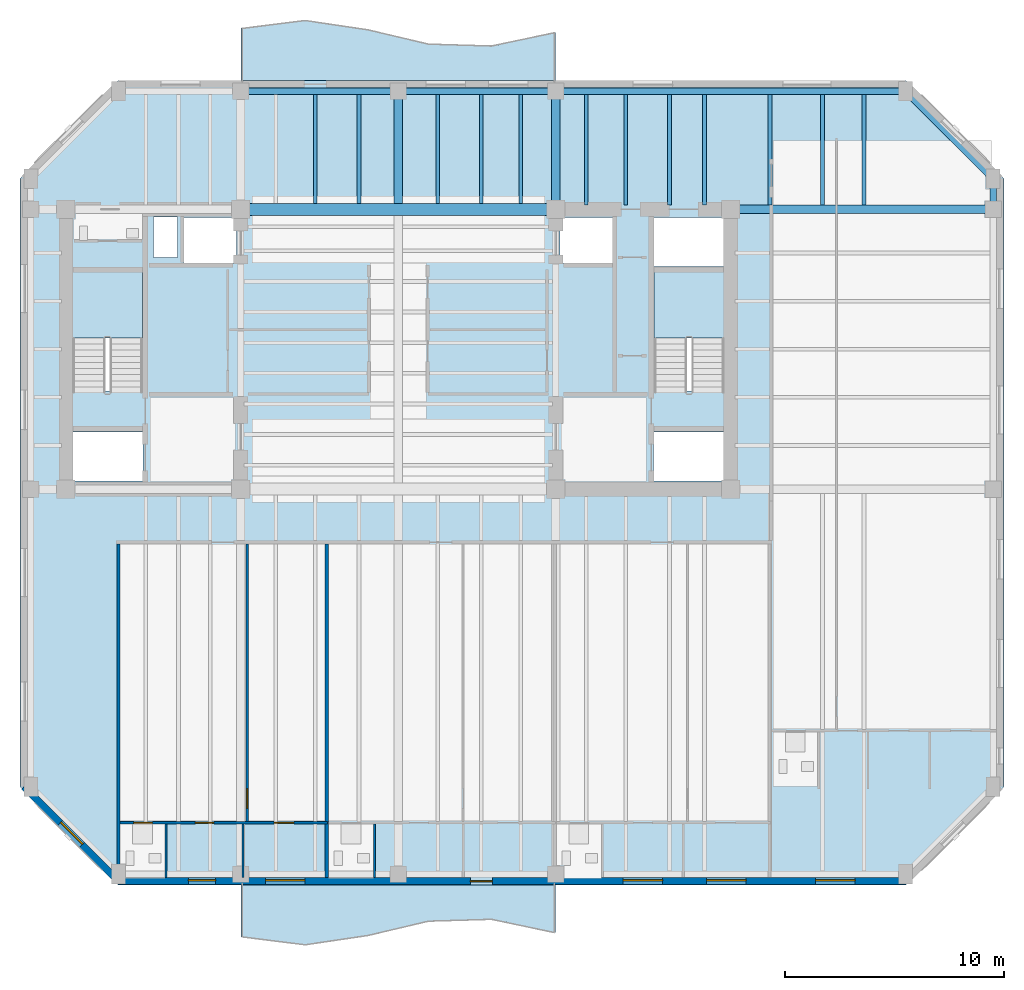
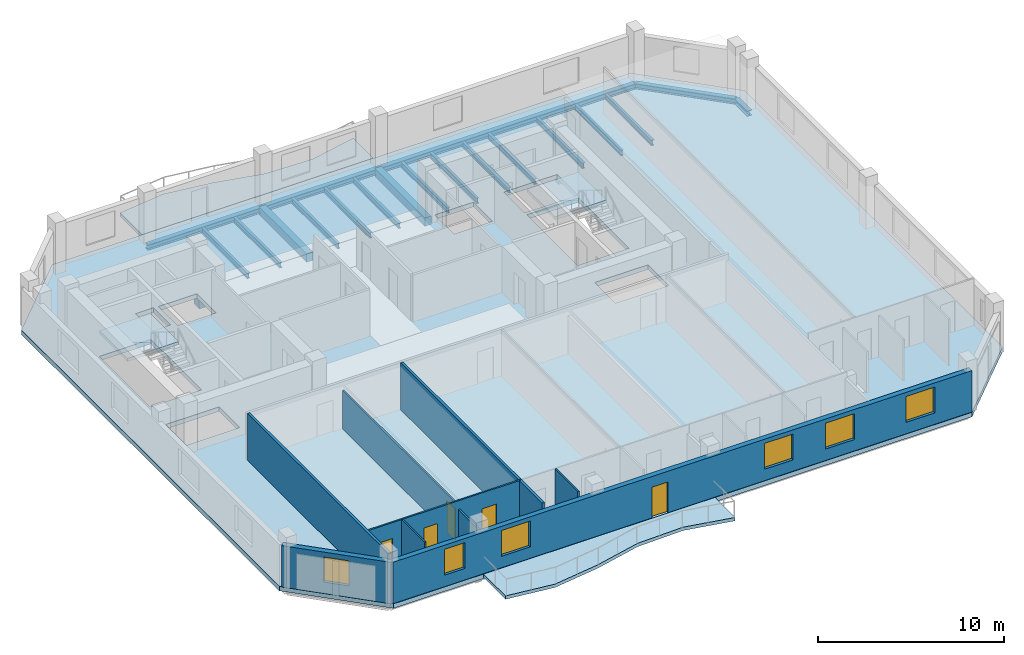
# One storey, part 2 of 10: 21 beams, 9 walls, 6 windows, 5 doors, 5 slabs, 11 openings, 2 elements without a shape of their own.
"""IFC4 building model written with IfcOpenShell, lengths in metres."""

from ifc_helpers import new_model, si_unit, direction, frame, frame_2d, origin, origin_2d, place, context, subcontext, project, spatial, polyline, rectangle, i_section, outline, extrude, material, layer, layer_set, material_profile, profile_set, type_object, element, fill, aggregate, save


model = new_model("IFC4")

# Units and contexts
model_context = context("Model", 3, precision=1e-05, world=origin(), true_north=direction((0.0, 1.0)))
body_context = subcontext(model_context, "Body", "Model", "MODEL_VIEW")
ifc_project = project(units=[si_unit("LENGTHUNIT", "METRE"), si_unit("AREAUNIT", "SQUARE_METRE"), si_unit("VOLUMEUNIT", "CUBIC_METRE"), si_unit("PLANEANGLEUNIT", "RADIAN"), si_unit("MASSUNIT", "GRAM", prefix="KILO")], contexts=[model_context])

# Site, building, storey
site_placement = place(None, origin())
site = spatial("IfcSite", under=ifc_project, at=site_placement, CompositionType="ELEMENT")
building_placement = place(site_placement, origin())
building = spatial("IfcBuilding", under=site, at=building_placement, Name="Kranthara Brick Stack", CompositionType="ELEMENT")
storey_placement = place(building_placement, frame((0.0, 0.0, 234.699951171875)))
storey = spatial("IfcBuildingStorey", under=building, at=storey_placement, Name="L61", CompositionType="ELEMENT", Elevation=234.699951171875)

# Beams
ifc_material_1 = material(Name="Concrete C50/60", Category="concrete")
ifc_material_profile_1 = material_profile(ifc_material_1, rectangle(XDim=0.550048828125, YDim=0.85009765625, at=origin_2d()), Name="RC 550x850")
ifc_profile_set_1 = profile_set([ifc_material_profile_1], Name="Concrete C50/60")
beam_type_1 = type_object("IfcBeamType", Name="BM-CPL-RC850", PredefinedType="LINTEL", material=ifc_profile_set_1)
beam_1_placement = place(storey_placement, frame((20.800048828125, 33.60009765625, -0.724853515625), z_axis=(1.0, 0.0, 0.0), x_axis=(0.0, 1.0, 0.0)))
element("IfcBeam", 1, at=beam_1_placement, inside=storey, type_object=beam_type_1, Name="L61 Core Coupling Beam 002", PredefinedType="LINTEL", context=body_context, shape_type="SweptSolid", body=[
    extrude(rectangle(XDim=0.550048828125, YDim=0.85009765625, at=origin_2d()), origin(), (0.0, 0.0, 1.0), 14.39990234375),
])
ifc_material_2 = material(Name="Post-tensioned concrete C45/55", Category="concrete")
ifc_material_profile_2 = material_profile(ifc_material_2, rectangle(XDim=0.39990234375, YDim=0.550048828125, at=origin_2d()), Name="PT 400x550")
ifc_profile_set_2 = profile_set([ifc_material_profile_2], Name="Post-tensioned concrete C45/55")
beam_type_2 = type_object("IfcBeamType", Name="BM-FLR-PT550", PredefinedType="BEAM", material=ifc_profile_set_2)
beam_2_placement = place(storey_placement, frame((28.0, 33.875, -0.574951171875), z_axis=(0.0, 1.0, 0.0), x_axis=(-1.0, 0.0, 0.0)))
element("IfcBeam", 2, at=beam_2_placement, inside=storey, type_object=beam_type_2, Name="L61 Primary Grid Girder 027", PredefinedType="BEAM", context=body_context, shape_type="SweptSolid", body=[
    extrude(rectangle(XDim=0.39990234375, YDim=0.550048828125, at=origin_2d()), origin(), (0.0, 0.0, 1.0), 5.125),
])
beam_3_placement = place(storey_placement, frame((35.199951171875, 33.60009765625, -0.574951171875), z_axis=(0.0, 1.0, 0.0), x_axis=(-1.0, 0.0, 0.0)))
element("IfcBeam", 3, at=beam_3_placement, inside=storey, type_object=beam_type_2, Name="L61 Primary Grid Girder 029", PredefinedType="BEAM", context=body_context, shape_type="SweptSolid", body=[
    extrude(rectangle(XDim=0.39990234375, YDim=0.550048828125, at=origin_2d()), origin(), (0.0, 0.0, 1.0), 5.39990234375),
])
beam_4_placement = place(storey_placement, frame((43.199951171875, 33.60009765625, -0.574951171875), z_axis=(1.0, 0.0, 0.0), x_axis=(0.0, 1.0, 0.0)))
element("IfcBeam", 4, at=beam_4_placement, inside=storey, type_object=beam_type_2, Name="L61 Primary Grid Girder 033", PredefinedType="BEAM", context=body_context, shape_type="SweptSolid", body=[
    extrude(rectangle(XDim=0.39990234375, YDim=0.550048828125, at=origin_2d()), origin(), (0.0, 0.0, 1.0), 12.0),
])
ifc_material_3 = material(Name="Steel S355", Category="steel")
ifc_material_profile_3 = material_profile(ifc_material_3, i_section(OverallWidth=0.169921875, OverallDepth=0.360107421875, WebThickness=0.008056640625, FlangeThickness=0.0126953125, at=origin_2d()), Name="IPE 360")
ifc_profile_set_3 = profile_set([ifc_material_profile_3], Name="Steel S355")
beam_type_3 = type_object("IfcBeamType", Name="BM-JST-IPE360", PredefinedType="JOIST", material=ifc_profile_set_3)
for number, where, z_axis, x_axis, name in (
    (5, (24.199951171875, 33.875, -0.47998046875), (0.0, 1.0, 0.0), (-1.0, 0.0, 0.0), "L61 North Wing Floor Joist 061"),
    (6, (26.199951171875, 33.875, -0.47998046875), (0.0, 1.0, 0.0), (-1.0, 0.0, 0.0), "L61 North Wing Floor Joist 063"),
    (7, (29.800048828125, 33.875, -0.47998046875), (0.0, 1.0, 0.0), (-1.0, 0.0, 0.0), "L61 North Wing Floor Joist 065"),
    (8, (31.800048828125, 33.875, -0.47998046875), (0.0, 1.0, 0.0), (-1.0, 0.0, 0.0), "L61 North Wing Floor Joist 067"),
    (9, (33.60009765625, 33.875, -0.47998046875), (0.0, 1.0, 0.0), (-1.0, 0.0, 0.0), "L61 North Wing Floor Joist 069"),
):
    element("IfcBeam", number, at=place(storey_placement, frame(where, z_axis=z_axis, x_axis=x_axis)), inside=storey, type_object=beam_type_3, Name=name, PredefinedType="JOIST", context=body_context, shape_type="SweptSolid", body=[
        extrude(i_section(OverallWidth=0.169921875, OverallDepth=0.360107421875, WebThickness=0.008056640625, FlangeThickness=0.0126953125, at=origin_2d()), origin(), (0.0, 0.0, 1.0), 4.97509765625),
    ])
for number, where, z_axis, x_axis, name in (
    (10, (36.60009765625, 33.800048828125, -0.47998046875), (0.0, 1.0, 0.0), (-1.0, 0.0, 0.0), "L61 North Wing Floor Joist 071"),
    (11, (38.39990234375, 33.800048828125, -0.47998046875), (0.0, 1.0, 0.0), (-1.0, 0.0, 0.0), "L61 North Wing Floor Joist 073"),
    (12, (40.39990234375, 33.800048828125, -0.47998046875), (0.0, 1.0, 0.0), (-1.0, 0.0, 0.0), "L61 North Wing Floor Joist 075"),
    (13, (42.0, 33.800048828125, -0.47998046875), (0.0, 1.0, 0.0), (-1.0, 0.0, 0.0), "L61 North Wing Floor Joist 077"),
    (14, (45.0, 33.800048828125, -0.47998046875), (0.0, 1.0, 0.0), (-1.0, 0.0, 0.0), "L61 North Wing Floor Joist 079"),
    (15, (47.39990234375, 33.800048828125, -0.47998046875), (0.0, 1.0, 0.0), (-1.0, 0.0, 0.0), "L61 North Wing Floor Joist 081"),
    (16, (49.300048828125, 33.800048828125, -0.47998046875), (0.0, 1.0, 0.0), (-1.0, 0.0, 0.0), "L61 North Wing Floor Joist 083"),
):
    element("IfcBeam", number, at=place(storey_placement, frame(where, z_axis=z_axis, x_axis=x_axis)), inside=storey, type_object=beam_type_3, Name=name, PredefinedType="JOIST", context=body_context, shape_type="SweptSolid", body=[
        extrude(i_section(OverallWidth=0.169921875, OverallDepth=0.360107421875, WebThickness=0.008056640625, FlangeThickness=0.0126953125, at=origin_2d()), origin(), (0.0, 0.0, 1.0), 5.050048828125),
    ])
ifc_material_4 = material(Name="Steel S355", Category="steel")
ifc_material_profile_4 = material_profile(ifc_material_4, i_section(OverallWidth=0.300048828125, OverallDepth=0.360107421875, WebThickness=0.012451171875, FlangeThickness=0.0224609375, at=origin_2d()), Name="HEB 360")
ifc_profile_set_4 = profile_set([ifc_material_profile_4], Name="Steel S355")
beam_type_4 = type_object("IfcBeamType", Name="BM-STL-HEB360", PredefinedType="SPANDREL", material=ifc_profile_set_4)
for number, where, z_axis, x_axis, name in (
    (17, (20.800048828125, 39.0, -0.47998046875), (1.0, 0.0, 0.0), (0.0, 1.0, 0.0), "L61 Perimeter Spandrel Beam 010"),
    (18, (28.0, 39.0, -0.47998046875), (1.0, 0.0, 0.0), (0.0, 1.0, 0.0), "L61 Perimeter Spandrel Beam 011"),
):
    element("IfcBeam", number, at=place(storey_placement, frame(where, z_axis=z_axis, x_axis=x_axis)), inside=storey, type_object=beam_type_4, Name=name, PredefinedType="SPANDREL", context=body_context, shape_type="SweptSolid", body=[
        extrude(i_section(OverallWidth=0.300048828125, OverallDepth=0.360107421875, WebThickness=0.012451171875, FlangeThickness=0.0224609375, at=origin_2d()), origin(), (0.0, 0.0, 1.0), 7.199951171875),
    ])
beam_5_placement = place(storey_placement, frame((35.199951171875, 39.0, -0.47998046875), z_axis=(1.0, 0.0, 0.0), x_axis=(0.0, 1.0, 0.0)))
element("IfcBeam", 19, at=beam_5_placement, inside=storey, type_object=beam_type_4, Name="L61 Perimeter Spandrel Beam 012", PredefinedType="SPANDREL", context=body_context, shape_type="SweptSolid", body=[
    extrude(i_section(OverallWidth=0.300048828125, OverallDepth=0.360107421875, WebThickness=0.012451171875, FlangeThickness=0.0224609375, at=origin_2d()), origin(), (0.0, 0.0, 1.0), 16.0),
])
beam_6_placement = place(storey_placement, frame((55.199951171875, 33.60009765625, -0.47998046875), z_axis=(0.0, 1.0, 0.0), x_axis=(-1.0, 0.0, 0.0)))
element("IfcBeam", 20, at=beam_6_placement, inside=storey, type_object=beam_type_4, Name="L61 Perimeter Spandrel Beam 018", PredefinedType="SPANDREL", context=body_context, shape_type="SweptSolid", body=[
    extrude(i_section(OverallWidth=0.300048828125, OverallDepth=0.360107421875, WebThickness=0.012451171875, FlangeThickness=0.0224609375, at=origin_2d()), origin(), (0.0, 0.0, 1.0), 1.39990234375),
])
beam_7_placement = place(storey_placement, frame((51.199951171875, 39.0, -0.47998046875), z_axis=(0.707106781187, -0.707106781187, 0.0), x_axis=(0.707106781187, 0.707106781187, 0.0)))
element("IfcBeam", 21, at=beam_7_placement, inside=storey, type_object=beam_type_4, Name="L61 Chamfer Corner Spandrel 022", PredefinedType="SPANDREL", context=body_context, shape_type="SweptSolid", body=[
    extrude(i_section(OverallWidth=0.300048828125, OverallDepth=0.360107421875, WebThickness=0.012451171875, FlangeThickness=0.0224609375, at=origin_2d()), origin(), (0.0, 0.0, 1.0), 5.65673828125),
])

# Slabs
ifc_material_5 = material(Name="Concrete C45/55", Category="concrete")
ifc_layer_1 = layer(ifc_material_5, 0.219970703125)
ifc_layer_set_1 = layer_set([ifc_layer_1], Name="Concrete C45/55")
slab_type_1 = type_object("IfcSlabType", Name="SLB-BALC-220", PredefinedType="FLOOR", material=ifc_layer_set_1)
slab_1_placement = place(storey_placement, frame((0.0, 0.0, -0.219970703125)))
element("IfcSlab", 22, at=slab_1_placement, inside=storey, type_object=slab_type_1, Name="L61 South Rippling Balcony Slab", PredefinedType="FLOOR", context=body_context, shape_type="SweptSolid", body=[
    extrude(outline(polyline([(20.800048828125, 2.699951171875), (35.199951171875, 2.699951171875), (35.199951171875, 0.52001953125), (32.320068359375, 1.132568359375), (29.43994140625, 1.0439453125), (26.56005859375, 0.365478515625), (23.679931640625, -0.049560546875), (20.800048828125, 0.32080078125), (20.800048828125, 2.699951171875)])), origin(), (0.0, 0.0, 1.0), 0.219970703125),
])
slab_2_placement = place(storey_placement, frame((0.0, 0.0, -0.219970703125)))
element("IfcSlab", 23, at=slab_2_placement, inside=storey, type_object=slab_type_1, Name="L61 North Rippling Balcony Slab", PredefinedType="FLOOR", context=body_context, shape_type="SweptSolid", body=[
    extrude(outline(polyline([(35.199951171875, 39.5), (20.800048828125, 39.5), (20.800048828125, 41.879150390625), (23.679931640625, 42.24951171875), (26.56005859375, 41.83447265625), (29.43994140625, 41.156005859375), (32.320068359375, 41.0673828125), (35.199951171875, 41.679931640625), (35.199951171875, 39.5)])), origin(), (0.0, 0.0, 1.0), 0.219970703125),
])

# Stair, slab
ifc_material_6 = material(Name="Concrete C45/55", Category="concrete")
stair_type = type_object("IfcStairType", Name="ST-CORE-20R", PredefinedType="HALF_TURN_STAIR", material=ifc_material_6)
stair_1_placement = place(storey_placement, origin())
stair_1 = element("IfcStair", 24, at=stair_1_placement, inside=storey, type_object=stair_type, Name="L61 West Core Protected Exit Stair ST01", PredefinedType="HALF_TURN_STAIR")
ifc_material_7 = material(Name="Concrete C45/55", Category="concrete")
ifc_layer_2 = layer(ifc_material_7, 0.199951171875)
ifc_layer_set_2 = layer_set([ifc_layer_2], Name="Concrete C45/55")
slab_type_2 = type_object("IfcSlabType", Name="SLB-LANDING-200", PredefinedType="LANDING", material=ifc_layer_set_2)
slab_3_placement = place(storey_placement, frame((0.0, 0.0, 1.5)))
slab_3 = element("IfcSlab", 25, at=slab_3_placement, type_object=slab_type_2, Name="ST01 landing 1", PredefinedType="LANDING", context=body_context, shape_type="SweptSolid", body=[
    extrude(outline(polyline([(16.300048828125, 27.719970703125), (16.300048828125, 30.75), (13.10009765625, 30.75), (13.10009765625, 27.719970703125), (16.300048828125, 27.719970703125)])), origin(), (0.0, 0.0, 1.0), 0.199951171875),
])
aggregate(stair_1, [slab_3])

stair_2_placement = place(storey_placement, origin())
stair_2 = element("IfcStair", 26, at=stair_2_placement, inside=storey, type_object=stair_type, Name="L61 East Core Protected Exit Stair ST02", PredefinedType="HALF_TURN_STAIR")
slab_4_placement = place(storey_placement, frame((0.0, 0.0, 1.5)))
slab_4 = element("IfcSlab", 27, at=slab_4_placement, type_object=slab_type_2, Name="ST02 landing 1", PredefinedType="LANDING", context=body_context, shape_type="SweptSolid", body=[
    extrude(outline(polyline([(42.89990234375, 27.719970703125), (42.89990234375, 30.75), (39.699951171875, 30.75), (39.699951171875, 27.719970703125), (42.89990234375, 27.719970703125)])), origin(), (0.0, 0.0, 1.0), 0.199951171875),
])
aggregate(stair_2, [slab_4])

# Slab
ifc_material_8 = material(Name="Post-tensioned concrete C45/55", Category="concrete")
ifc_layer_3 = layer(ifc_material_8, 0.300048828125)
ifc_layer_set_3 = layer_set([ifc_layer_3], Name="Post-tensioned concrete C45/55")
slab_type_3 = type_object("IfcSlabType", Name="SLB-TWR-300", PredefinedType="FLOOR", material=ifc_layer_set_3)
slab_5_placement = place(storey_placement, frame((0.0, 0.0, -0.300048828125)))
element("IfcSlab", 28, at=slab_5_placement, inside=storey, type_object=slab_type_3, Name="L61 Structural Floor Plate", PredefinedType="FLOOR", context=body_context, shape_type="SweptSolid", body=[
    extrude(outline(polyline([(15.199951171875, 2.699951171875), (51.199951171875, 2.699951171875), (55.699951171875, 7.199951171875), (55.699951171875, 35.0), (51.199951171875, 39.5), (15.199951171875, 39.5), (10.699951171875, 35.0), (10.699951171875, 7.199951171875), (15.199951171875, 2.699951171875)]), holes=[polyline([(13.10009765625, 25.280029296875), (16.300048828125, 25.280029296875), (16.300048828125, 30.75), (13.10009765625, 30.75), (13.10009765625, 25.280029296875)]), polyline([(39.699951171875, 25.280029296875), (42.89990234375, 25.280029296875), (42.89990234375, 30.75), (39.699951171875, 30.75), (39.699951171875, 25.280029296875)]), polyline([(13.0, 21.179931640625), (16.320068359375, 21.179931640625), (16.320068359375, 23.419921875), (13.0, 23.419921875), (13.0, 21.179931640625)]), polyline([(39.679931640625, 21.179931640625), (43.0, 21.179931640625), (43.0, 23.419921875), (39.679931640625, 23.419921875), (39.679931640625, 21.179931640625)]), polyline([(39.679931640625, 30.97998046875), (43.0, 30.97998046875), (43.0, 33.219970703125), (39.679931640625, 33.219970703125), (39.679931640625, 30.97998046875)]), polyline([(18.199951171875, 31.14990234375), (20.60009765625, 31.14990234375), (20.60009765625, 33.219970703125), (18.199951171875, 33.219970703125), (18.199951171875, 31.14990234375)]), polyline([(35.39990234375, 31.14990234375), (37.800048828125, 31.14990234375), (37.800048828125, 33.219970703125), (35.39990234375, 33.219970703125), (35.39990234375, 31.14990234375)]), polyline([(16.800048828125, 31.39990234375), (17.89990234375, 31.39990234375), (17.89990234375, 33.25), (16.800048828125, 33.25), (16.800048828125, 31.39990234375)])]), origin(), (0.0, 0.0, 1.0), 0.300048828125),
])

# Wall, openings, door, windows
ifc_material_9 = material(Name="Warm buff clay brick masonry M15", Category="masonry")
ifc_layer_4 = layer(ifc_material_9, 0.320068359375)
ifc_layer_set_4 = layer_set([ifc_layer_4], Name="Warm buff clay brick masonry M15")
wall_type_1 = type_object("IfcWallType", Name="WL-BRK-UPPR-320", PredefinedType="STANDARD", material=ifc_layer_set_4)
wall_1_placement = place(storey_placement, frame((51.199951171875, 2.8798828125, 0.0), z_axis=(0.0, 0.0, 1.0), x_axis=(-1.0, 0.0, 0.0)))
wall_1 = element("IfcWall", 29, at=wall_1_placement, inside=storey, type_object=wall_type_1, Name="L61 Exterior Brick Facade Wall SOUTH 1", PredefinedType="STANDARD", context=body_context, shape_type="SweptSolid", body=[
    extrude(rectangle(XDim=36.0, YDim=0.320068359375, at=frame_2d((18.0, 0.0))), origin(), (0.0, 0.0, 1.0), 2.72509765625),
])
opening_1_placement = place(wall_1_placement, frame((18.89990234375, 0.0, 0.0)))
opening_1 = element("IfcOpeningElement", 30, at=opening_1_placement, cuts=wall_1, Name="Opening D03", PredefinedType="OPENING", context=body_context, shape_type="SweptSolid", body=[
    extrude(rectangle(XDim=1.0, YDim=2.02001953125, at=frame_2d((0.5, 1.010009765625))), frame((0.0, 0.169921875, 0.0), z_axis=(0.0, -1.0, 0.0), x_axis=(1.0, 0.0, 0.0)), (0.0, 0.0, 1.0), 0.340087890625),
])
opening_2_placement = place(wall_1_placement, frame((2.31005859375, 0.0, 0.75)))
opening_2 = element("IfcOpeningElement", 31, at=opening_2_placement, cuts=wall_1, Name="Opening WN07", PredefinedType="OPENING", context=body_context, shape_type="SweptSolid", body=[
    extrude(rectangle(XDim=1.800048828125, YDim=1.699951171875, at=frame_2d((0.89990234375, 0.85009765625))), frame((0.0, 0.169921875, 0.0), z_axis=(0.0, -1.0, 0.0), x_axis=(1.0, 0.0, 0.0)), (0.0, 0.0, 1.0), 0.340087890625),
])
opening_3_placement = place(wall_1_placement, frame((7.2939453125, 0.0, 0.75)))
opening_3 = element("IfcOpeningElement", 32, at=opening_3_placement, cuts=wall_1, Name="Opening WN07", PredefinedType="OPENING", context=body_context, shape_type="SweptSolid", body=[
    extrude(rectangle(XDim=1.800048828125, YDim=1.699951171875, at=frame_2d((0.89990234375, 0.85009765625))), frame((0.0, 0.169921875, 0.0), z_axis=(0.0, -1.0, 0.0), x_axis=(1.0, 0.0, 0.0)), (0.0, 0.0, 1.0), 0.340087890625),
])
opening_4_placement = place(wall_1_placement, frame((11.116943359375, 0.0, 0.75)))
opening_4 = element("IfcOpeningElement", 33, at=opening_4_placement, cuts=wall_1, Name="Opening WN07", PredefinedType="OPENING", context=body_context, shape_type="SweptSolid", body=[
    extrude(rectangle(XDim=1.800048828125, YDim=1.699951171875, at=frame_2d((0.89990234375, 0.85009765625))), frame((0.0, 0.169921875, 0.0), z_axis=(0.0, -1.0, 0.0), x_axis=(1.0, 0.0, 0.0)), (0.0, 0.0, 1.0), 0.340087890625),
])
opening_5_placement = place(wall_1_placement, frame((27.472900390625, 0.0, 0.75)))
opening_5 = element("IfcOpeningElement", 34, at=opening_5_placement, cuts=wall_1, Name="Opening WN07", PredefinedType="OPENING", context=body_context, shape_type="SweptSolid", body=[
    extrude(rectangle(XDim=1.800048828125, YDim=1.699951171875, at=frame_2d((0.89990234375, 0.85009765625))), frame((0.0, 0.169921875, 0.0), z_axis=(0.0, -1.0, 0.0), x_axis=(1.0, 0.0, 0.0)), (0.0, 0.0, 1.0), 0.340087890625),
])
opening_6_placement = place(wall_1_placement, frame((31.548095703125, 0.0, 0.75)))
opening_6 = element("IfcOpeningElement", 35, at=opening_6_placement, cuts=wall_1, Name="Opening WN09", PredefinedType="OPENING", context=body_context, shape_type="SweptSolid", body=[
    extrude(rectangle(XDim=1.25, YDim=1.699951171875, at=frame_2d((0.625, 0.85009765625))), frame((0.0, 0.169921875, 0.0), z_axis=(0.0, -1.0, 0.0), x_axis=(1.0, 0.0, 0.0)), (0.0, 0.0, 1.0), 0.340087890625),
])
ifc_material_10 = material(Name="Bronze anodised aluminium and laminated glass", Category="aluminium")
door_type_1 = type_object("IfcDoorType", Name="DR-BALC-1000", OperationType="NOTDEFINED", PredefinedType="DOOR", material=ifc_material_10)
door_1_placement = place(opening_1_placement, origin())
door_1 = element("IfcDoor", 36, at=door_1_placement, inside=storey, type_object=door_type_1, Name="L61 South Balcony Terrace Door", OperationType="SINGLE_SWING_LEFT", OverallHeight=2.02001953125, OverallWidth=1.0, PredefinedType="DOOR", context=body_context, shape_type="SweptSolid", body=[
    extrude(rectangle(XDim=1.0, YDim=2.02001953125, at=frame_2d((0.5, 1.010009765625))), frame((0.0, 0.02490234375, 0.0), z_axis=(0.0, -1.0, 0.0), x_axis=(1.0, 0.0, 0.0)), (0.0, 0.0, 1.0), 0.050048828125),
])
fill(opening_1, door_1)
ifc_material_11 = material(Name="Double-glazed low-E solar control glass", Category="glass")
window_type_1 = type_object("IfcWindowType", Name="WN-RES-1250x1850", PartitioningType="SINGLE_PANEL", PredefinedType="WINDOW", material=ifc_material_11)
window_1_placement = place(opening_6_placement, origin())
window_1 = element("IfcWindow", 37, at=window_1_placement, inside=storey, type_object=window_type_1, Name="L61 South Deep-Set Brick Window 05", OverallHeight=1.699951171875, OverallWidth=1.25, PartitioningType="SINGLE_PANEL", PredefinedType="WINDOW", context=body_context, shape_type="SweptSolid", body=[
    extrude(rectangle(XDim=1.25, YDim=1.699951171875, at=frame_2d((0.625, 0.85009765625))), frame((0.0, -0.010009765625, 0.0), z_axis=(0.0, -1.0, 0.0), x_axis=(1.0, 0.0, 0.0)), (0.0, 0.0, 1.0), 0.06005859375),
])
fill(opening_6, window_1)
ifc_material_12 = material(Name="Double-glazed low-E solar control glass", Category="glass")
window_type_2 = type_object("IfcWindowType", Name="WN-RES-1800x1850", PartitioningType="DOUBLE_PANEL_VERTICAL", PredefinedType="WINDOW", material=ifc_material_12)
window_2_placement = place(opening_2_placement, origin())
window_2 = element("IfcWindow", 38, at=window_2_placement, inside=storey, type_object=window_type_2, Name="L61 South Deep-Set Brick Window 01", OverallHeight=1.699951171875, OverallWidth=1.800048828125, PartitioningType="SINGLE_PANEL", PredefinedType="WINDOW", context=body_context, shape_type="SweptSolid", body=[
    extrude(rectangle(XDim=1.800048828125, YDim=1.699951171875, at=frame_2d((0.89990234375, 0.85009765625))), frame((0.0, -0.010009765625, 0.0), z_axis=(0.0, -1.0, 0.0), x_axis=(1.0, 0.0, 0.0)), (0.0, 0.0, 1.0), 0.06005859375),
])
fill(opening_2, window_2)
window_3_placement = place(opening_3_placement, origin())
window_3 = element("IfcWindow", 39, at=window_3_placement, inside=storey, type_object=window_type_2, Name="L61 South Deep-Set Brick Window 02", OverallHeight=1.699951171875, OverallWidth=1.800048828125, PartitioningType="SINGLE_PANEL", PredefinedType="WINDOW", context=body_context, shape_type="SweptSolid", body=[
    extrude(rectangle(XDim=1.800048828125, YDim=1.699951171875, at=frame_2d((0.89990234375, 0.85009765625))), frame((0.0, -0.010009765625, 0.0), z_axis=(0.0, -1.0, 0.0), x_axis=(1.0, 0.0, 0.0)), (0.0, 0.0, 1.0), 0.06005859375),
])
fill(opening_3, window_3)
window_4_placement = place(opening_4_placement, origin())
window_4 = element("IfcWindow", 40, at=window_4_placement, inside=storey, type_object=window_type_2, Name="L61 South Deep-Set Brick Window 03", OverallHeight=1.699951171875, OverallWidth=1.800048828125, PartitioningType="SINGLE_PANEL", PredefinedType="WINDOW", context=body_context, shape_type="SweptSolid", body=[
    extrude(rectangle(XDim=1.800048828125, YDim=1.699951171875, at=frame_2d((0.89990234375, 0.85009765625))), frame((0.0, -0.010009765625, 0.0), z_axis=(0.0, -1.0, 0.0), x_axis=(1.0, 0.0, 0.0)), (0.0, 0.0, 1.0), 0.06005859375),
])
fill(opening_4, window_4)
window_5_placement = place(opening_5_placement, origin())
window_5 = element("IfcWindow", 41, at=window_5_placement, inside=storey, type_object=window_type_2, Name="L61 South Deep-Set Brick Window 04", OverallHeight=1.699951171875, OverallWidth=1.800048828125, PartitioningType="SINGLE_PANEL", PredefinedType="WINDOW", context=body_context, shape_type="SweptSolid", body=[
    extrude(rectangle(XDim=1.800048828125, YDim=1.699951171875, at=frame_2d((0.89990234375, 0.85009765625))), frame((0.0, -0.010009765625, 0.0), z_axis=(0.0, -1.0, 0.0), x_axis=(1.0, 0.0, 0.0)), (0.0, 0.0, 1.0), 0.06005859375),
])
fill(opening_5, window_5)

# Wall, opening, window
wall_2_placement = place(storey_placement, frame((15.199951171875, 2.8798828125, 0.0), z_axis=(0.0, 0.0, 1.0), x_axis=(-0.707106781187, 0.707106781187, 0.0)))
wall_2 = element("IfcWall", 42, at=wall_2_placement, inside=storey, type_object=wall_type_1, Name="L61 Exterior Brick Facade Wall SW 1", PredefinedType="STANDARD", context=body_context, shape_type="SweptSolid", body=[
    extrude(rectangle(XDim=6.109619140625, YDim=0.320068359375, at=frame_2d((3.0546875, 0.0))), origin(), (0.0, 0.0, 1.0), 2.72509765625),
])
opening_7_placement = place(wall_2_placement, frame((2.35498046875, 0.0, 0.75)))
opening_7 = element("IfcOpeningElement", 43, at=opening_7_placement, cuts=wall_2, Name="Opening WN10", PredefinedType="OPENING", context=body_context, shape_type="SweptSolid", body=[
    extrude(rectangle(XDim=1.39990234375, YDim=1.64990234375, at=frame_2d((0.699951171875, 0.824951171875))), frame((0.0, 0.169921875, 0.0), z_axis=(0.0, -1.0, 0.0), x_axis=(1.0, 0.0, 0.0)), (0.0, 0.0, 1.0), 0.340087890625),
])
ifc_material_13 = material(Name="Double-glazed low-E solar control glass", Category="glass")
window_type_3 = type_object("IfcWindowType", Name="WN-CHM-1400x1750", PartitioningType="SINGLE_PANEL", PredefinedType="WINDOW", material=ifc_material_13)
window_6_placement = place(opening_7_placement, origin())
window_6 = element("IfcWindow", 44, at=window_6_placement, inside=storey, type_object=window_type_3, Name="L61 SW Chamfer Corner Window", OverallHeight=1.64990234375, OverallWidth=1.39990234375, PartitioningType="SINGLE_PANEL", PredefinedType="WINDOW", context=body_context, shape_type="SweptSolid", body=[
    extrude(rectangle(XDim=1.39990234375, YDim=1.64990234375, at=frame_2d((0.699951171875, 0.824951171875))), frame((0.0, -0.010009765625, 0.0), z_axis=(0.0, -1.0, 0.0), x_axis=(1.0, 0.0, 0.0)), (0.0, 0.0, 1.0), 0.06005859375),
])
fill(opening_7, window_6)

# Wall, openings, doors
ifc_material_14 = material(Name="Moisture-resistant wet-room partition", Category="other")
ifc_layer_5 = layer(ifc_material_14, 0.10009765625)
ifc_layer_set_5 = layer_set([ifc_layer_5], Name="Moisture-resistant wet-room partition")
wall_type_2 = type_object("IfcWallType", Name="WL-PART-100", PredefinedType="PARTITIONING", material=ifc_layer_set_5)
wall_3_placement = place(storey_placement, frame((15.280029296875, 5.550048828125, 0.0), z_axis=(0.0, 0.0, 1.0), x_axis=(1.0, 0.0, 0.0)))
wall_3 = element("IfcWall", 45, at=wall_3_placement, inside=storey, type_object=wall_type_2, Name="L61 Interior Partition 014", PredefinedType="PARTITIONING", context=body_context, shape_type="SweptSolid", body=[
    extrude(rectangle(XDim=9.489990234375, YDim=0.10009765625, at=frame_2d((4.7451171875, 0.0))), origin(), (0.0, 0.0, 1.0), 3.10009765625),
])
opening_8_placement = place(wall_3_placement, frame((0.625, 0.0, 0.0)))
opening_8 = element("IfcOpeningElement", 46, at=opening_8_placement, cuts=wall_3, Name="Opening D17", PredefinedType="OPENING", context=body_context, shape_type="SweptSolid", body=[
    extrude(rectangle(XDim=0.85009765625, YDim=2.050048828125, at=frame_2d((0.425048828125, 1.02490234375))), frame((0.0, 0.06005859375, 0.0), z_axis=(0.0, -1.0, 0.0), x_axis=(1.0, 0.0, 0.0)), (0.0, 0.0, 1.0), 0.1201171875),
])
opening_9_placement = place(wall_3_placement, frame((3.43603515625, 0.0, 0.0)))
opening_9 = element("IfcOpeningElement", 47, at=opening_9_placement, cuts=wall_3, Name="Opening D16", PredefinedType="OPENING", context=body_context, shape_type="SweptSolid", body=[
    extrude(rectangle(XDim=0.85009765625, YDim=2.050048828125, at=frame_2d((0.425048828125, 1.02490234375))), frame((0.0, 0.06005859375, 0.0), z_axis=(0.0, -1.0, 0.0), x_axis=(1.0, 0.0, 0.0)), (0.0, 0.0, 1.0), 0.1201171875),
])
opening_10_placement = place(wall_3_placement, frame((7.0458984375, 0.0, 0.0)))
opening_10 = element("IfcOpeningElement", 48, at=opening_10_placement, cuts=wall_3, Name="Opening D15", PredefinedType="OPENING", context=body_context, shape_type="SweptSolid", body=[
    extrude(rectangle(XDim=0.89990234375, YDim=2.050048828125, at=frame_2d((0.449951171875, 1.02490234375))), frame((0.0, 0.06005859375, 0.0), z_axis=(0.0, -1.0, 0.0), x_axis=(1.0, 0.0, 0.0)), (0.0, 0.0, 1.0), 0.1201171875),
])
ifc_material_15 = material(Name="Solid-core hardwood timber leaf in steel frame", Category="steel")
door_type_2 = type_object("IfcDoorType", Name="DR-INT-850", OperationType="NOTDEFINED", PredefinedType="DOOR", material=ifc_material_15)
door_2_placement = place(opening_9_placement, origin())
door_2 = element("IfcDoor", 49, at=door_2_placement, inside=storey, type_object=door_type_2, Name="L61 Unit L61A Kitchen 13", OperationType="SINGLE_SWING_LEFT", OverallHeight=2.050048828125, OverallWidth=0.85009765625, PredefinedType="DOOR", context=body_context, shape_type="SweptSolid", body=[
    extrude(rectangle(XDim=0.85009765625, YDim=2.050048828125, at=frame_2d((0.425048828125, 1.02490234375))), frame((0.0, 0.02490234375, 0.0), z_axis=(0.0, -1.0, 0.0), x_axis=(1.0, 0.0, 0.0)), (0.0, 0.0, 1.0), 0.050048828125),
])
fill(opening_9, door_2)
ifc_material_16 = material(Name="Solid-core hardwood timber leaf in steel frame", Category="steel")
door_type_3 = type_object("IfcDoorType", Name="DR-INT-900", OperationType="NOTDEFINED", PredefinedType="DOOR", material=ifc_material_16)
door_3_placement = place(opening_10_placement, origin())
door_3 = element("IfcDoor", 50, at=door_3_placement, inside=storey, type_object=door_type_3, Name="L61 Unit L61A Bedroom 14", OperationType="SINGLE_SWING_RIGHT", OverallHeight=2.050048828125, OverallWidth=0.89990234375, PredefinedType="DOOR", context=body_context, shape_type="SweptSolid", body=[
    extrude(rectangle(XDim=0.89990234375, YDim=2.050048828125, at=frame_2d((0.449951171875, 1.02490234375))), frame((0.0, 0.02490234375, 0.0), z_axis=(0.0, -1.0, 0.0), x_axis=(1.0, 0.0, 0.0)), (0.0, 0.0, 1.0), 0.050048828125),
])
fill(opening_10, door_3)
ifc_material_17 = material(Name="Solid-core hardwood timber leaf in steel frame", Category="steel")
door_type_4 = type_object("IfcDoorType", Name="DR-WET-850", OperationType="NOTDEFINED", PredefinedType="DOOR", material=ifc_material_17)
door_4_placement = place(opening_8_placement, origin())
door_4 = element("IfcDoor", 51, at=door_4_placement, inside=storey, type_object=door_type_4, Name="L61 Unit L61A Bathroom 12", OperationType="SINGLE_SWING_RIGHT", OverallHeight=2.050048828125, OverallWidth=0.85009765625, PredefinedType="DOOR", context=body_context, shape_type="SweptSolid", body=[
    extrude(rectangle(XDim=0.85009765625, YDim=2.050048828125, at=frame_2d((0.425048828125, 1.02490234375))), frame((0.0, 0.02490234375, 0.0), z_axis=(0.0, -1.0, 0.0), x_axis=(1.0, 0.0, 0.0)), (0.0, 0.0, 1.0), 0.050048828125),
])
fill(opening_8, door_4)

# Wall, opening, door
wall_4_placement = place(storey_placement, frame((21.089111328125, 5.60498046875, 0.0), z_axis=(0.0, 0.0, 1.0), x_axis=(0.0, 1.0, 0.0)))
wall_4 = element("IfcWall", 52, at=wall_4_placement, inside=storey, type_object=wall_type_2, Name="L61 Interior Partition 015", PredefinedType="PARTITIONING", context=body_context, shape_type="SweptSolid", body=[
    extrude(rectangle(XDim=12.695068359375, YDim=0.10009765625, at=frame_2d((6.34765625, 0.0))), origin(), (0.0, 0.0, 1.0), 2.53515625),
])
opening_11_placement = place(wall_4_placement, frame((0.60498046875, 0.0, 0.0)))
opening_11 = element("IfcOpeningElement", 53, at=opening_11_placement, cuts=wall_4, Name="Opening D15", PredefinedType="OPENING", context=body_context, shape_type="SweptSolid", body=[
    extrude(rectangle(XDim=0.89990234375, YDim=2.050048828125, at=frame_2d((0.449951171875, 1.02490234375))), frame((0.0, 0.06005859375, 0.0), z_axis=(0.0, -1.0, 0.0), x_axis=(1.0, 0.0, 0.0)), (0.0, 0.0, 1.0), 0.1201171875),
])
door_5_placement = place(opening_11_placement, origin())
door_5 = element("IfcDoor", 54, at=door_5_placement, inside=storey, type_object=door_type_3, Name="L61 Unit L61A Study 11", OperationType="SINGLE_SWING_LEFT", OverallHeight=2.050048828125, OverallWidth=0.89990234375, PredefinedType="DOOR", context=body_context, shape_type="SweptSolid", body=[
    extrude(rectangle(XDim=0.89990234375, YDim=2.050048828125, at=frame_2d((0.449951171875, 1.02490234375))), frame((0.0, 0.02490234375, 0.0), z_axis=(0.0, -1.0, 0.0), x_axis=(1.0, 0.0, 0.0)), (0.0, 0.0, 1.0), 0.050048828125),
])
fill(opening_11, door_5)

# Walls
wall_5_placement = place(storey_placement, frame((17.3798828125, 3.044921875, 0.0), z_axis=(0.0, 0.0, 1.0), x_axis=(0.0, 1.0, 0.0)))
element("IfcWall", 55, at=wall_5_placement, inside=storey, type_object=wall_type_2, Name="L61 Interior Partition 016", PredefinedType="PARTITIONING", context=body_context, shape_type="SweptSolid", body=[
    extrude(rectangle(XDim=2.4501953125, YDim=0.10009765625, at=frame_2d((1.22509765625, 0.0))), origin(), (0.0, 0.0, 1.0), 3.10009765625),
])
wall_6_placement = place(storey_placement, frame((20.902099609375, 3.044921875, 0.0), z_axis=(0.0, 0.0, 1.0), x_axis=(0.0, 1.0, 0.0)))
element("IfcWall", 56, at=wall_6_placement, inside=storey, type_object=wall_type_2, Name="L61 Interior Partition 017", PredefinedType="PARTITIONING", context=body_context, shape_type="SweptSolid", body=[
    extrude(rectangle(XDim=2.4501953125, YDim=0.10009765625, at=frame_2d((1.22509765625, 0.0))), origin(), (0.0, 0.0, 1.0), 2.53515625),
])
wall_7_placement = place(storey_placement, frame((26.909912109375, 3.044921875, 0.0), z_axis=(0.0, 0.0, 1.0), x_axis=(0.0, 1.0, 0.0)))
element("IfcWall", 57, at=wall_7_placement, inside=storey, type_object=wall_type_2, Name="L61 Interior Partition 021", PredefinedType="PARTITIONING", context=body_context, shape_type="SweptSolid", body=[
    extrude(rectangle(XDim=2.4501953125, YDim=0.10009765625, at=frame_2d((1.22509765625, 0.0))), origin(), (0.0, 0.0, 1.0), 3.10009765625),
])
ifc_material_18 = material(Name="Fire-rated gypsum board partition", Category="other")
ifc_layer_6 = layer(ifc_material_18, 0.14990234375)
ifc_layer_set_6 = layer_set([ifc_layer_6], Name="Fire-rated gypsum board partition")
wall_type_3 = type_object("IfcWallType", Name="WL-PART-150", PredefinedType="PARTITIONING", material=ifc_layer_set_6)
for number, where, z_axis, x_axis, name in (
    (58, (15.199951171875, 3.044921875, 0.0), (0.0, 0.0, 1.0), (0.0, 1.0, 0.0), "L61 Interior Partition 013"),
    (59, (24.72998046875, 3.044921875, 0.0), (0.0, 0.0, 1.0), (0.0, 1.0, 0.0), "L61 Interior Partition 018"),
):
    element("IfcWall", number, at=place(storey_placement, frame(where, z_axis=z_axis, x_axis=x_axis)), inside=storey, type_object=wall_type_3, Name=name, PredefinedType="PARTITIONING", context=body_context, shape_type="SweptSolid", body=[
        extrude(rectangle(XDim=15.255126953125, YDim=0.14990234375, at=frame_2d((7.62744140625, 0.0))), origin(), (0.0, 0.0, 1.0), 3.10009765625),
    ])

save(model, "model.ifc")
